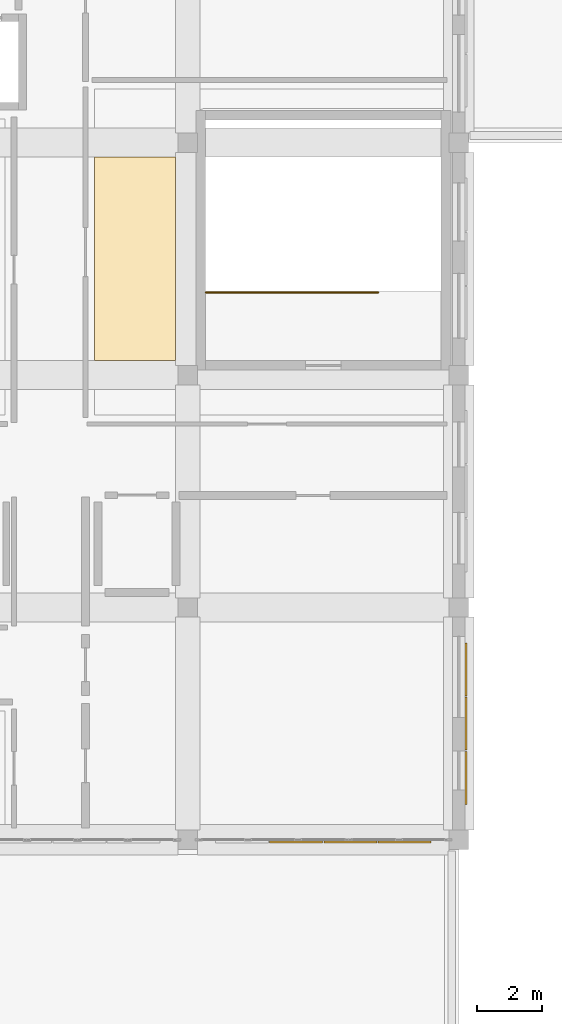
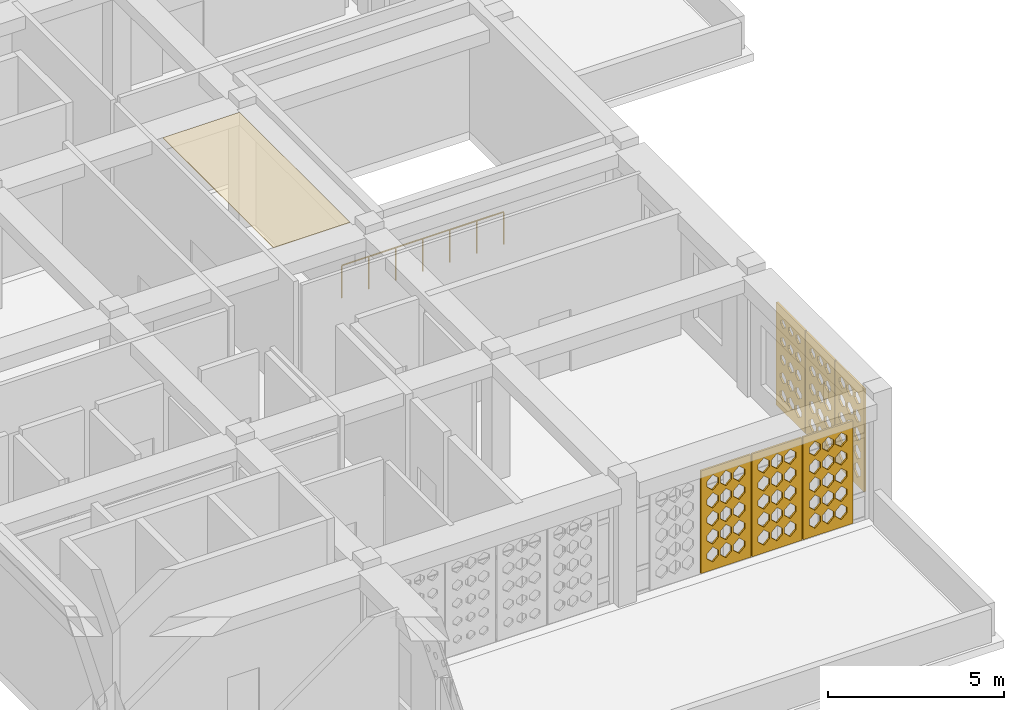
# One storey, part 22 of 28: 7 coverings, 1 railing.
"""IFC4 building model written with IfcOpenShell, lengths in metres."""

from ifc_helpers import new_model, si_unit, derived_unit, direction, frame, origin, origin_2d, place, context, subcontext, project, spatial, polyline, circle, outline, extrude, material, layer, layer_set, type_object, element, save


model = new_model("IFC4")

# Units and contexts
model_context = context("Model", 3, precision=1e-05, world=origin(), true_north=direction((0.0, 1.0)))
body_context = subcontext(model_context, "Body", "Model", "MODEL_VIEW")
ifc_project = project(units=[si_unit("LENGTHUNIT", "METRE"), si_unit("AREAUNIT", "SQUARE_METRE"), si_unit("VOLUMEUNIT", "CUBIC_METRE"), si_unit("PLANEANGLEUNIT", "RADIAN"), si_unit("MASSUNIT", "GRAM", prefix="KILO"), derived_unit("THERMALTRANSMITTANCEUNIT", [(si_unit("POWERUNIT", "WATT"), 1), (si_unit("LENGTHUNIT", "METRE"), -2), (si_unit("THERMODYNAMICTEMPERATUREUNIT", "KELVIN"), -1)])], contexts=[model_context])

# Site, building, storey
site_placement = place(None, origin())
site = spatial("IfcSite", under=ifc_project, at=site_placement, CompositionType="ELEMENT")
building_placement = place(site_placement, origin())
building = spatial("IfcBuilding", under=site, at=building_placement, Name="Veybourne Emporium", CompositionType="ELEMENT")
storey_placement = place(building_placement, frame((0.0, 0.0, 32.10009765625)))
storey = spatial("IfcBuildingStorey", under=building, at=storey_placement, Name="L07", CompositionType="ELEMENT", Elevation=32.10009765625)

# Covering
ifc_material_1 = material(Name="Mineral Acoustic Ceiling", Category="gypsum")
ifc_layer_1 = layer(ifc_material_1, 0.02490234375)
ifc_layer_set_1 = layer_set([ifc_layer_1], Name="Mineral Acoustic Ceiling")
covering_type_1 = type_object("IfcCoveringType", Name="Ceiling_CLG-01", PredefinedType="CEILING", material=ifc_layer_set_1)
covering_1_placement = place(storey_placement, frame((0.0, 0.0, 4.21484375)))
element("IfcCovering", 1, at=covering_1_placement, inside=storey, type_object=covering_type_1, Name="L07 coffered acoustic ceiling 06", PredefinedType="CEILING", context=body_context, shape_type="SweptSolid", body=[
    extrude(outline(polyline([(39.110107421875, 35.552001953125), (41.626953125, 35.552001953125), (41.626953125, 29.248046875), (39.110107421875, 29.248046875), (39.110107421875, 35.552001953125)])), origin(), (0.0, 0.0, 1.0), 0.025146484375),
])

# Railing
ifc_material_2 = material(Name="Brushed Stainless Steel", Category="steel")
railing_type = type_object("IfcRailingType", Name="Guard_GR-01", PredefinedType="GUARDRAIL", material=ifc_material_2)
railing_placement = place(storey_placement, frame((42.570068359375, 31.360107421875, 0.0)))
element("IfcRailing", 2, at=railing_placement, inside=storey, type_object=railing_type, Name="L07 ST-05 top well guardrail", PredefinedType="GUARDRAIL", context=body_context, shape_type="SweptSolid", body=[
    extrude(circle(Radius=0.02392578125, at=origin_2d()), frame((0.0, 0.0, 1.1259765625), z_axis=(1.0, 0.0, 0.0), x_axis=(0.0, 1.0, 0.0)), (0.0, 0.0, 1.0), 5.31982421875),
    extrude(circle(Radius=0.02099609375, at=origin_2d()), origin(), (0.0, 0.0, 1.0), 1.101806640625),
    extrude(circle(Radius=0.02099609375, at=origin_2d()), frame((0.88671875, 0.0, 0.0)), (0.0, 0.0, 1.0), 1.101806640625),
    extrude(circle(Radius=0.02099609375, at=origin_2d()), frame((1.773193359375, 0.0, 0.0)), (0.0, 0.0, 1.0), 1.101806640625),
    extrude(circle(Radius=0.02099609375, at=origin_2d()), frame((2.659912109375, 0.0, 0.0)), (0.0, 0.0, 1.0), 1.101806640625),
    extrude(circle(Radius=0.02099609375, at=origin_2d()), frame((3.546630859375, 0.0, 0.0)), (0.0, 0.0, 1.0), 1.101806640625),
    extrude(circle(Radius=0.02099609375, at=origin_2d()), frame((4.43310546875, 0.0, 0.0)), (0.0, 0.0, 1.0), 1.101806640625),
    extrude(circle(Radius=0.02099609375, at=origin_2d()), frame((5.31982421875, 0.0, 0.0)), (0.0, 0.0, 1.0), 1.101806640625),
])

# Coverings
ifc_material_3 = material(Name="Warm-White Perforated Aluminium Screen Alloy", Category="aluminium")
ifc_layer_2 = layer(ifc_material_3, 0.06005859375)
ifc_layer_set_2 = layer_set([ifc_layer_2], Name="Warm-White Perforated Aluminium Screen Alloy")
covering_type_2 = type_object("IfcCoveringType", Name="WaveScreen_SCR-01", PredefinedType="CLADDING", material=ifc_layer_set_2)
covering_2_placement = place(storey_placement, frame((48.719970703125, 14.306884765625, 1.844970703125), z_axis=(0.0, 1.0, 0.0), x_axis=(-1.0, 0.0, 0.0)))
element("IfcCovering", 3, at=covering_2_placement, inside=storey, type_object=covering_type_2, Name="L07 wave-perforated aluminium screen SCR-01 (16C.1)", PredefinedType="CLADDING", context=body_context, shape_type="SweptSolid", body=[
    extrude(outline(polyline([(-0.81982421875, -1.78515625), (0.81982421875, -1.78515625), (0.81982421875, 1.78515625), (-0.81982421875, 1.78515625), (-0.81982421875, -1.78515625)]), holes=[polyline([(-0.433349609375, -0.98291015625), (-0.2470703125, -1.155029296875), (-0.2470703125, -1.348876953125), (-0.433349609375, -1.521240234375), (-0.61962890625, -1.348876953125), (-0.61962890625, -1.155029296875), (-0.433349609375, -0.98291015625)]), polyline([(-0.433349609375, -0.356689453125), (-0.2470703125, -0.529052734375), (-0.2470703125, -0.722900390625), (-0.433349609375, -0.895263671875), (-0.61962890625, -0.722900390625), (-0.61962890625, -0.529052734375), (-0.433349609375, -0.356689453125)]), polyline([(-0.433349609375, 0.264404296875), (-0.2470703125, 0.09521484375), (-0.2470703125, -0.09521484375), (-0.433349609375, -0.264404296875), (-0.61962890625, -0.09521484375), (-0.61962890625, 0.09521484375), (-0.433349609375, 0.264404296875)]), polyline([(-0.433349609375, 0.882080078125), (-0.2470703125, 0.71826171875), (-0.2470703125, 0.53369140625), (-0.433349609375, 0.369873046875), (-0.61962890625, 0.53369140625), (-0.61962890625, 0.71826171875), (-0.433349609375, 0.882080078125)]), polyline([(-0.433349609375, 1.498046875), (-0.2470703125, 1.340576171875), (-0.2470703125, 1.163330078125), (-0.433349609375, 1.005859375), (-0.61962890625, 1.163330078125), (-0.61962890625, 1.340576171875), (-0.433349609375, 1.498046875)]), polyline([(0.0, -0.98291015625), (0.186279296875, -1.155029296875), (0.186279296875, -1.348876953125), (0.0, -1.521240234375), (-0.186279296875, -1.348876953125), (-0.186279296875, -1.155029296875), (0.0, -0.98291015625)]), polyline([(0.0, -0.356689453125), (0.186279296875, -0.529052734375), (0.186279296875, -0.722900390625), (0.0, -0.895263671875), (-0.186279296875, -0.722900390625), (-0.186279296875, -0.529052734375), (0.0, -0.356689453125)]), polyline([(0.0, 0.267333984375), (0.186279296875, 0.09619140625), (0.186279296875, -0.09619140625), (0.0, -0.267333984375), (-0.186279296875, -0.09619140625), (-0.186279296875, 0.09619140625), (0.0, 0.267333984375)]), polyline([(0.0, 0.885986328125), (0.186279296875, 0.719482421875), (0.186279296875, 0.532470703125), (0.0, 0.365966796875), (-0.186279296875, 0.532470703125), (-0.186279296875, 0.719482421875), (0.0, 0.885986328125)]), polyline([(0.0, 1.5029296875), (0.186279296875, 1.34228515625), (0.186279296875, 1.16162109375), (0.0, 1.001220703125), (-0.186279296875, 1.16162109375), (-0.186279296875, 1.34228515625), (0.0, 1.5029296875)]), polyline([(0.433349609375, -0.98291015625), (0.61962890625, -1.155029296875), (0.61962890625, -1.348876953125), (0.433349609375, -1.521240234375), (0.2470703125, -1.348876953125), (0.2470703125, -1.155029296875), (0.433349609375, -0.98291015625)]), polyline([(0.433349609375, -0.356689453125), (0.61962890625, -0.529052734375), (0.61962890625, -0.722900390625), (0.433349609375, -0.895263671875), (0.2470703125, -0.722900390625), (0.2470703125, -0.529052734375), (0.433349609375, -0.356689453125)]), polyline([(0.433349609375, 0.269287109375), (0.61962890625, 0.096923828125), (0.61962890625, -0.096923828125), (0.433349609375, -0.269287109375), (0.2470703125, -0.096923828125), (0.2470703125, 0.096923828125), (0.433349609375, 0.269287109375)]), polyline([(0.433349609375, 0.8896484375), (0.61962890625, 0.720947265625), (0.61962890625, 0.531005859375), (0.433349609375, 0.3623046875), (0.2470703125, 0.531005859375), (0.2470703125, 0.720947265625), (0.433349609375, 0.8896484375)]), polyline([(0.433349609375, 1.507080078125), (0.61962890625, 1.343994140625), (0.61962890625, 1.16015625), (0.433349609375, 0.996826171875), (0.2470703125, 1.16015625), (0.2470703125, 1.343994140625), (0.433349609375, 1.507080078125)])]), origin(), (0.0, 0.0, 1.0), 0.06005859375),
])
ifc_layer_3 = layer(ifc_material_3, 0.06005859375)
ifc_layer_set_3 = layer_set([ifc_layer_3], Name="Warm-White Perforated Aluminium Screen Alloy")
covering_type_3 = type_object("IfcCoveringType", Name="WaveScreen_SCR-02", PredefinedType="CLADDING", material=ifc_layer_set_3)
covering_3_placement = place(storey_placement, frame((47.0400390625, 14.306884765625, 1.844970703125), z_axis=(0.0, 1.0, 0.0), x_axis=(-1.0, 0.0, 0.0)))
element("IfcCovering", 4, at=covering_3_placement, inside=storey, type_object=covering_type_3, Name="L07 wave-perforated aluminium screen SCR-02 (16C.2)", PredefinedType="CLADDING", context=body_context, shape_type="SweptSolid", body=[
    extrude(outline(polyline([(-0.81982421875, -1.78515625), (0.81982421875, -1.78515625), (0.81982421875, 1.78515625), (-0.81982421875, 1.78515625), (-0.81982421875, -1.78515625)]), holes=[polyline([(-0.433349609375, -0.98291015625), (-0.2470703125, -1.155029296875), (-0.2470703125, -1.348876953125), (-0.433349609375, -1.521240234375), (-0.61962890625, -1.348876953125), (-0.61962890625, -1.155029296875), (-0.433349609375, -0.98291015625)]), polyline([(-0.433349609375, -0.356689453125), (-0.2470703125, -0.529052734375), (-0.2470703125, -0.722900390625), (-0.433349609375, -0.895263671875), (-0.61962890625, -0.722900390625), (-0.61962890625, -0.529052734375), (-0.433349609375, -0.356689453125)]), polyline([(-0.433349609375, 0.269287109375), (-0.2470703125, 0.096923828125), (-0.2470703125, -0.096923828125), (-0.433349609375, -0.269287109375), (-0.61962890625, -0.096923828125), (-0.61962890625, 0.096923828125), (-0.433349609375, 0.269287109375)]), polyline([(-0.433349609375, 0.89501953125), (-0.2470703125, 0.722900390625), (-0.2470703125, 0.529296875), (-0.433349609375, 0.357177734375), (-0.61962890625, 0.529296875), (-0.61962890625, 0.722900390625), (-0.433349609375, 0.89501953125)]), polyline([(-0.433349609375, 1.514404296875), (-0.2470703125, 1.346435546875), (-0.2470703125, 1.157470703125), (-0.433349609375, 0.989501953125), (-0.61962890625, 1.157470703125), (-0.61962890625, 1.346435546875), (-0.433349609375, 1.514404296875)]), polyline([(0.0, -0.98291015625), (0.186279296875, -1.155029296875), (0.186279296875, -1.348876953125), (0.0, -1.521240234375), (-0.186279296875, -1.348876953125), (-0.186279296875, -1.155029296875), (0.0, -0.98291015625)]), polyline([(0.0, -0.356689453125), (0.186279296875, -0.529052734375), (0.186279296875, -0.722900390625), (0.0, -0.895263671875), (-0.186279296875, -0.722900390625), (-0.186279296875, -0.529052734375), (0.0, -0.356689453125)]), polyline([(0.0, 0.269287109375), (0.186279296875, 0.096923828125), (0.186279296875, -0.096923828125), (0.0, -0.269287109375), (-0.186279296875, -0.096923828125), (-0.186279296875, 0.096923828125), (0.0, 0.269287109375)]), polyline([(0.0, 0.895263671875), (0.186279296875, 0.722900390625), (0.186279296875, 0.529052734375), (0.0, 0.356689453125), (-0.186279296875, 0.529052734375), (-0.186279296875, 0.722900390625), (0.0, 0.895263671875)]), polyline([(0.0, 1.517578125), (0.186279296875, 1.34765625), (0.186279296875, 1.156494140625), (0.0, 0.986328125), (-0.186279296875, 1.156494140625), (-0.186279296875, 1.34765625), (0.0, 1.517578125)]), polyline([(0.433349609375, -0.98291015625), (0.61962890625, -1.155029296875), (0.61962890625, -1.348876953125), (0.433349609375, -1.521240234375), (0.2470703125, -1.348876953125), (0.2470703125, -1.155029296875), (0.433349609375, -0.98291015625)]), polyline([(0.433349609375, -0.356689453125), (0.61962890625, -0.529052734375), (0.61962890625, -0.722900390625), (0.433349609375, -0.895263671875), (0.2470703125, -0.722900390625), (0.2470703125, -0.529052734375), (0.433349609375, -0.356689453125)]), polyline([(0.433349609375, 0.269287109375), (0.61962890625, 0.096923828125), (0.61962890625, -0.096923828125), (0.433349609375, -0.269287109375), (0.2470703125, -0.096923828125), (0.2470703125, 0.096923828125), (0.433349609375, 0.269287109375)]), polyline([(0.433349609375, 0.895263671875), (0.61962890625, 0.722900390625), (0.61962890625, 0.529052734375), (0.433349609375, 0.356689453125), (0.2470703125, 0.529052734375), (0.2470703125, 0.722900390625), (0.433349609375, 0.895263671875)]), polyline([(0.433349609375, 1.520263671875), (0.61962890625, 1.3486328125), (0.61962890625, 1.155517578125), (0.433349609375, 0.983642578125), (0.2470703125, 1.155517578125), (0.2470703125, 1.3486328125), (0.433349609375, 1.520263671875)])]), origin(), (0.0, 0.0, 1.0), 0.06005859375),
])
covering_4_placement = place(storey_placement, frame((50.64794921875, 19.679931640625, 1.844970703125), z_axis=(-1.0, 0.0, 0.0), x_axis=(0.0, -1.0, 0.0)))
element("IfcCovering", 5, at=covering_4_placement, inside=storey, type_object=covering_type_3, Name="L07 wave-perforated aluminium screen SCR-02 (17.1)", PredefinedType="CLADDING", context=body_context, shape_type="SweptSolid", body=[
    extrude(outline(polyline([(-0.81982421875, -1.78515625), (0.81982421875, -1.78515625), (0.81982421875, 1.78515625), (-0.81982421875, 1.78515625), (-0.81982421875, -1.78515625)]), holes=[polyline([(-0.433349609375, -1.05078125), (-0.2587890625, -1.1796875), (-0.2587890625, -1.324462890625), (-0.433349609375, -1.453125), (-0.60791015625, -1.324462890625), (-0.60791015625, -1.1796875), (-0.433349609375, -1.05078125)]), polyline([(-0.433349609375, -0.439208984375), (-0.2705078125, -0.558837890625), (-0.2705078125, -0.693115234375), (-0.433349609375, -0.812744140625), (-0.59619140625, -0.693115234375), (-0.59619140625, -0.558837890625), (-0.433349609375, -0.439208984375)]), polyline([(-0.433349609375, 0.172607421875), (-0.2822265625, 0.06201171875), (-0.2822265625, -0.06201171875), (-0.433349609375, -0.172607421875), (-0.58447265625, -0.06201171875), (-0.58447265625, 0.06201171875), (-0.433349609375, 0.172607421875)]), polyline([(-0.433349609375, 0.784912109375), (-0.29345703125, 0.68310546875), (-0.29345703125, 0.56884765625), (-0.433349609375, 0.46728515625), (-0.5732421875, 0.56884765625), (-0.5732421875, 0.68310546875), (-0.433349609375, 0.784912109375)]), polyline([(-0.433349609375, 1.398193359375), (-0.3037109375, 1.3046875), (-0.3037109375, 1.199462890625), (-0.433349609375, 1.105712890625), (-0.56298828125, 1.199462890625), (-0.56298828125, 1.3046875), (-0.433349609375, 1.398193359375)]), polyline([(0.0, -1.04443359375), (0.1796875, -1.17724609375), (0.1796875, -1.32666015625), (0.0, -1.459716796875), (-0.1796875, -1.32666015625), (-0.1796875, -1.17724609375), (0.0, -1.04443359375)]), polyline([(0.0, -0.432861328125), (0.168212890625, -0.556396484375), (0.168212890625, -0.695556640625), (0.0, -0.819091796875), (-0.168212890625, -0.695556640625), (-0.168212890625, -0.556396484375), (0.0, -0.432861328125)]), polyline([(0.0, 0.1787109375), (0.15625, 0.064453125), (0.15625, -0.064453125), (0.0, -0.1787109375), (-0.15625, -0.064453125), (-0.15625, 0.064453125), (0.0, 0.1787109375)]), polyline([(0.0, 0.790771484375), (0.144775390625, 0.685302734375), (0.144775390625, 0.566650390625), (0.0, 0.461181640625), (-0.144775390625, 0.566650390625), (-0.144775390625, 0.685302734375), (0.0, 0.790771484375)]), polyline([(0.0, 1.40380859375), (0.134033203125, 1.306640625), (0.134033203125, 1.197509765625), (0.0, 1.100341796875), (-0.134033203125, 1.197509765625), (-0.134033203125, 1.306640625), (0.0, 1.40380859375)]), polyline([(0.433349609375, -1.0380859375), (0.618408203125, -1.175048828125), (0.618408203125, -1.3291015625), (0.433349609375, -1.4658203125), (0.248291015625, -1.3291015625), (0.248291015625, -1.175048828125), (0.433349609375, -1.0380859375)]), polyline([(0.433349609375, -0.426513671875), (0.606689453125, -0.55419921875), (0.606689453125, -0.697998046875), (0.433349609375, -0.82568359375), (0.260009765625, -0.697998046875), (0.260009765625, -0.55419921875), (0.433349609375, -0.426513671875)]), polyline([(0.433349609375, 0.185302734375), (0.5947265625, 0.066650390625), (0.5947265625, -0.066650390625), (0.433349609375, -0.185302734375), (0.271728515625, -0.066650390625), (0.271728515625, 0.066650390625), (0.433349609375, 0.185302734375)]), polyline([(0.433349609375, 0.796875), (0.583251953125, 0.6875), (0.583251953125, 0.564453125), (0.433349609375, 0.455078125), (0.283447265625, 0.564453125), (0.283447265625, 0.6875), (0.433349609375, 0.796875)]), polyline([(0.433349609375, 1.409423828125), (0.572021484375, 1.30859375), (0.572021484375, 1.1953125), (0.433349609375, 1.094482421875), (0.294677734375, 1.1953125), (0.294677734375, 1.30859375), (0.433349609375, 1.409423828125)])]), origin(), (0.0, 0.0, 1.0), 0.06005859375),
])
ifc_layer_4 = layer(ifc_material_3, 0.06005859375)
ifc_layer_set_4 = layer_set([ifc_layer_4], Name="Warm-White Perforated Aluminium Screen Alloy")
covering_type_4 = type_object("IfcCoveringType", Name="WaveScreen_SCR-03", PredefinedType="CLADDING", material=ifc_layer_set_4)
covering_5_placement = place(storey_placement, frame((45.360107421875, 14.306884765625, 1.844970703125), z_axis=(0.0, 1.0, 0.0), x_axis=(-1.0, 0.0, 0.0)))
element("IfcCovering", 6, at=covering_5_placement, inside=storey, type_object=covering_type_4, Name="L07 wave-perforated aluminium screen SCR-03 (16C.3)", PredefinedType="CLADDING", context=body_context, shape_type="SweptSolid", body=[
    extrude(outline(polyline([(-0.81982421875, -1.78515625), (0.81982421875, -1.78515625), (0.81982421875, 1.78515625), (-0.81982421875, 1.78515625), (-0.81982421875, -1.78515625)]), holes=[polyline([(-0.433349609375, -0.985107421875), (-0.2470703125, -1.156005859375), (-0.2470703125, -1.34814453125), (-0.433349609375, -1.51904296875), (-0.61962890625, -1.34814453125), (-0.61962890625, -1.156005859375), (-0.433349609375, -0.985107421875)]), polyline([(-0.433349609375, -0.356689453125), (-0.2470703125, -0.529052734375), (-0.2470703125, -0.722900390625), (-0.433349609375, -0.895263671875), (-0.61962890625, -0.722900390625), (-0.61962890625, -0.529052734375), (-0.433349609375, -0.356689453125)]), polyline([(-0.433349609375, 0.269287109375), (-0.2470703125, 0.096923828125), (-0.2470703125, -0.096923828125), (-0.433349609375, -0.269287109375), (-0.61962890625, -0.096923828125), (-0.61962890625, 0.096923828125), (-0.433349609375, 0.269287109375)]), polyline([(-0.433349609375, 0.895263671875), (-0.2470703125, 0.722900390625), (-0.2470703125, 0.529052734375), (-0.433349609375, 0.356689453125), (-0.61962890625, 0.529052734375), (-0.61962890625, 0.722900390625), (-0.433349609375, 0.895263671875)]), polyline([(-0.433349609375, 1.521240234375), (-0.2470703125, 1.348876953125), (-0.2470703125, 1.155029296875), (-0.433349609375, 0.98291015625), (-0.61962890625, 1.155029296875), (-0.61962890625, 1.348876953125), (-0.433349609375, 1.521240234375)]), polyline([(0.0, -0.98779296875), (0.186279296875, -1.156982421875), (0.186279296875, -1.34716796875), (0.0, -1.51611328125), (-0.186279296875, -1.34716796875), (-0.186279296875, -1.156982421875), (0.0, -0.98779296875)]), polyline([(0.0, -0.356689453125), (0.186279296875, -0.529052734375), (0.186279296875, -0.722900390625), (0.0, -0.895263671875), (-0.186279296875, -0.722900390625), (-0.186279296875, -0.529052734375), (0.0, -0.356689453125)]), polyline([(0.0, 0.269287109375), (0.186279296875, 0.096923828125), (0.186279296875, -0.096923828125), (0.0, -0.269287109375), (-0.186279296875, -0.096923828125), (-0.186279296875, 0.096923828125), (0.0, 0.269287109375)]), polyline([(0.0, 0.895263671875), (0.186279296875, 0.722900390625), (0.186279296875, 0.529052734375), (0.0, 0.356689453125), (-0.186279296875, 0.529052734375), (-0.186279296875, 0.722900390625), (0.0, 0.895263671875)]), polyline([(0.0, 1.521240234375), (0.186279296875, 1.348876953125), (0.186279296875, 1.155029296875), (0.0, 0.98291015625), (-0.186279296875, 1.155029296875), (-0.186279296875, 1.348876953125), (0.0, 1.521240234375)]), polyline([(0.433349609375, -0.991455078125), (0.61962890625, -1.158203125), (0.61962890625, -1.345703125), (0.433349609375, -1.5126953125), (0.2470703125, -1.345703125), (0.2470703125, -1.158203125), (0.433349609375, -0.991455078125)]), polyline([(0.433349609375, -0.3583984375), (0.61962890625, -0.529541015625), (0.61962890625, -0.722412109375), (0.433349609375, -0.893798828125), (0.2470703125, -0.722412109375), (0.2470703125, -0.529541015625), (0.433349609375, -0.3583984375)]), polyline([(0.433349609375, 0.269287109375), (0.61962890625, 0.096923828125), (0.61962890625, -0.096923828125), (0.433349609375, -0.269287109375), (0.2470703125, -0.096923828125), (0.2470703125, 0.096923828125), (0.433349609375, 0.269287109375)]), polyline([(0.433349609375, 0.895263671875), (0.61962890625, 0.722900390625), (0.61962890625, 0.529052734375), (0.433349609375, 0.356689453125), (0.2470703125, 0.529052734375), (0.2470703125, 0.722900390625), (0.433349609375, 0.895263671875)]), polyline([(0.433349609375, 1.521240234375), (0.61962890625, 1.348876953125), (0.61962890625, 1.155029296875), (0.433349609375, 0.98291015625), (0.2470703125, 1.155029296875), (0.2470703125, 1.348876953125), (0.433349609375, 1.521240234375)])]), origin(), (0.0, 0.0, 1.0), 0.06005859375),
])
covering_6_placement = place(storey_placement, frame((50.64794921875, 18.0, 1.844970703125), z_axis=(-1.0, 0.0, 0.0), x_axis=(0.0, -1.0, 0.0)))
element("IfcCovering", 7, at=covering_6_placement, inside=storey, type_object=covering_type_4, Name="L07 wave-perforated aluminium screen SCR-03 (17.2)", PredefinedType="CLADDING", context=body_context, shape_type="SweptSolid", body=[
    extrude(outline(polyline([(-0.81982421875, -1.78515625), (0.81982421875, -1.78515625), (0.81982421875, 1.78515625), (-0.81982421875, 1.78515625), (-0.81982421875, -1.78515625)]), holes=[polyline([(-0.433349609375, -1.02685546875), (-0.2470703125, -1.1708984375), (-0.2470703125, -1.3330078125), (-0.433349609375, -1.477294921875), (-0.61962890625, -1.3330078125), (-0.61962890625, -1.1708984375), (-0.433349609375, -1.02685546875)]), polyline([(-0.433349609375, -0.41455078125), (-0.250244140625, -0.5498046875), (-0.250244140625, -0.7021484375), (-0.433349609375, -0.83740234375), (-0.616455078125, -0.7021484375), (-0.616455078125, -0.5498046875), (-0.433349609375, -0.41455078125)]), polyline([(-0.433349609375, 0.197265625), (-0.261962890625, 0.071044921875), (-0.261962890625, -0.071044921875), (-0.433349609375, -0.197265625), (-0.604736328125, -0.071044921875), (-0.604736328125, 0.071044921875), (-0.433349609375, 0.197265625)]), polyline([(-0.433349609375, 0.808837890625), (-0.273681640625, 0.69189453125), (-0.273681640625, 0.560302734375), (-0.433349609375, 0.443115234375), (-0.593017578125, 0.560302734375), (-0.593017578125, 0.69189453125), (-0.433349609375, 0.808837890625)]), polyline([(-0.433349609375, 1.420654296875), (-0.285400390625, 1.312744140625), (-0.285400390625, 1.19140625), (-0.433349609375, 1.083251953125), (-0.581298828125, 1.19140625), (-0.581298828125, 1.312744140625), (-0.433349609375, 1.420654296875)]), polyline([(0.0, -1.02099609375), (0.186279296875, -1.168701171875), (0.186279296875, -1.335205078125), (0.0, -1.48291015625), (-0.186279296875, -1.335205078125), (-0.186279296875, -1.168701171875), (0.0, -1.02099609375)]), polyline([(0.0, -0.408203125), (0.186279296875, -0.547607421875), (0.186279296875, -0.704345703125), (0.0, -0.84375), (-0.186279296875, -0.704345703125), (-0.186279296875, -0.547607421875), (0.0, -0.408203125)]), polyline([(0.0, 0.20361328125), (0.176513671875, 0.0732421875), (0.176513671875, -0.0732421875), (0.0, -0.20361328125), (-0.176513671875, -0.0732421875), (-0.176513671875, 0.0732421875), (0.0, 0.20361328125)]), polyline([(0.0, 0.815185546875), (0.164794921875, 0.694091796875), (0.164794921875, 0.557861328125), (0.0, 0.436767578125), (-0.164794921875, 0.557861328125), (-0.164794921875, 0.694091796875), (0.0, 0.815185546875)]), polyline([(0.0, 1.427001953125), (0.153076171875, 1.31494140625), (0.153076171875, 1.18896484375), (0.0, 1.0771484375), (-0.153076171875, 1.18896484375), (-0.153076171875, 1.31494140625), (0.0, 1.427001953125)]), polyline([(0.433349609375, -1.015380859375), (0.61962890625, -1.166748046875), (0.61962890625, -1.337158203125), (0.433349609375, -1.488525390625), (0.2470703125, -1.337158203125), (0.2470703125, -1.166748046875), (0.433349609375, -1.015380859375)]), polyline([(0.433349609375, -0.402099609375), (0.61962890625, -0.54541015625), (0.61962890625, -0.70654296875), (0.433349609375, -0.849853515625), (0.2470703125, -0.70654296875), (0.2470703125, -0.54541015625), (0.433349609375, -0.402099609375)]), polyline([(0.433349609375, 0.2099609375), (0.614990234375, 0.07568359375), (0.614990234375, -0.07568359375), (0.433349609375, -0.2099609375), (0.25146484375, -0.07568359375), (0.25146484375, 0.07568359375), (0.433349609375, 0.2099609375)]), polyline([(0.433349609375, 0.821533203125), (0.603515625, 0.6962890625), (0.603515625, 0.5556640625), (0.433349609375, 0.430419921875), (0.26318359375, 0.5556640625), (0.26318359375, 0.6962890625), (0.433349609375, 0.821533203125)]), polyline([(0.433349609375, 1.43310546875), (0.591552734375, 1.317138671875), (0.591552734375, 1.186767578125), (0.433349609375, 1.07080078125), (0.275146484375, 1.186767578125), (0.275146484375, 1.317138671875), (0.433349609375, 1.43310546875)])]), origin(), (0.0, 0.0, 1.0), 0.06005859375),
])
ifc_layer_5 = layer(ifc_material_3, 0.06005859375)
ifc_layer_set_5 = layer_set([ifc_layer_5], Name="Warm-White Perforated Aluminium Screen Alloy")
covering_type_5 = type_object("IfcCoveringType", Name="WaveScreen_SCR-04", PredefinedType="CLADDING", material=ifc_layer_set_5)
covering_7_placement = place(storey_placement, frame((50.64794921875, 16.320068359375, 1.844970703125), z_axis=(-1.0, 0.0, 0.0), x_axis=(0.0, -1.0, 0.0)))
element("IfcCovering", 8, at=covering_7_placement, inside=storey, type_object=covering_type_5, Name="L07 wave-perforated aluminium screen SCR-04 (17.3)", PredefinedType="CLADDING", context=body_context, shape_type="SweptSolid", body=[
    extrude(outline(polyline([(-0.81982421875, -1.78515625), (0.81982421875, -1.78515625), (0.81982421875, 1.78515625), (-0.81982421875, 1.78515625), (-0.81982421875, -1.78515625)]), holes=[polyline([(-0.433349609375, -1.005615234375), (-0.2470703125, -1.163330078125), (-0.2470703125, -1.3408203125), (-0.433349609375, -1.498291015625), (-0.61962890625, -1.3408203125), (-0.61962890625, -1.163330078125), (-0.433349609375, -1.005615234375)]), polyline([(-0.433349609375, -0.391357421875), (-0.2470703125, -0.54150390625), (-0.2470703125, -0.71044921875), (-0.433349609375, -0.860595703125), (-0.61962890625, -0.71044921875), (-0.61962890625, -0.54150390625), (-0.433349609375, -0.391357421875)]), polyline([(-0.433349609375, 0.221435546875), (-0.2470703125, 0.079833984375), (-0.2470703125, -0.079833984375), (-0.433349609375, -0.221435546875), (-0.61962890625, -0.079833984375), (-0.61962890625, 0.079833984375), (-0.433349609375, 0.221435546875)]), polyline([(-0.433349609375, 0.83349609375), (-0.25341796875, 0.70068359375), (-0.25341796875, 0.55126953125), (-0.433349609375, 0.41845703125), (-0.61328125, 0.55126953125), (-0.61328125, 0.70068359375), (-0.433349609375, 0.83349609375)]), polyline([(-0.433349609375, 1.4453125), (-0.26513671875, 1.321533203125), (-0.26513671875, 1.182373046875), (-0.433349609375, 1.05859375), (-0.6015625, 1.182373046875), (-0.6015625, 1.321533203125), (-0.433349609375, 1.4453125)]), polyline([(0.0, -1.0009765625), (0.186279296875, -1.16162109375), (0.186279296875, -1.34228515625), (0.0, -1.5029296875), (-0.186279296875, -1.34228515625), (-0.186279296875, -1.16162109375), (0.0, -1.0009765625)]), polyline([(0.0, -0.385986328125), (0.186279296875, -0.53955078125), (0.186279296875, -0.71240234375), (0.0, -0.865966796875), (-0.186279296875, -0.71240234375), (-0.186279296875, -0.53955078125), (0.0, -0.385986328125)]), polyline([(0.0, 0.2275390625), (0.186279296875, 0.081787109375), (0.186279296875, -0.081787109375), (0.0, -0.2275390625), (-0.186279296875, -0.081787109375), (-0.186279296875, 0.081787109375), (0.0, 0.2275390625)]), polyline([(0.0, 0.83984375), (0.18505859375, 0.702880859375), (0.18505859375, 0.549072265625), (0.0, 0.412109375), (-0.18505859375, 0.549072265625), (-0.18505859375, 0.702880859375), (0.0, 0.83984375)]), polyline([(0.0, 1.45166015625), (0.17333984375, 1.323974609375), (0.17333984375, 1.18017578125), (0.0, 1.05224609375), (-0.17333984375, 1.18017578125), (-0.17333984375, 1.323974609375), (0.0, 1.45166015625)]), polyline([(0.433349609375, -0.99658203125), (0.61962890625, -1.16015625), (0.61962890625, -1.343994140625), (0.433349609375, -1.50732421875), (0.2470703125, -1.343994140625), (0.2470703125, -1.16015625), (0.433349609375, -0.99658203125)]), polyline([(0.433349609375, -0.380859375), (0.61962890625, -0.537841796875), (0.61962890625, -0.714111328125), (0.433349609375, -0.87109375), (0.2470703125, -0.714111328125), (0.2470703125, -0.537841796875), (0.433349609375, -0.380859375)]), polyline([(0.433349609375, 0.233154296875), (0.61962890625, 0.083984375), (0.61962890625, -0.083984375), (0.433349609375, -0.233154296875), (0.2470703125, -0.083984375), (0.2470703125, 0.083984375), (0.433349609375, 0.233154296875)]), polyline([(0.433349609375, 0.845947265625), (0.61962890625, 0.705078125), (0.61962890625, 0.546875), (0.433349609375, 0.406005859375), (0.2470703125, 0.546875), (0.2470703125, 0.705078125), (0.433349609375, 0.845947265625)]), polyline([(0.433349609375, 1.4580078125), (0.61181640625, 1.326171875), (0.61181640625, 1.177734375), (0.433349609375, 1.0458984375), (0.254638671875, 1.177734375), (0.254638671875, 1.326171875), (0.433349609375, 1.4580078125)])]), origin(), (0.0, 0.0, 1.0), 0.06005859375),
])

save(model, "model.ifc")
